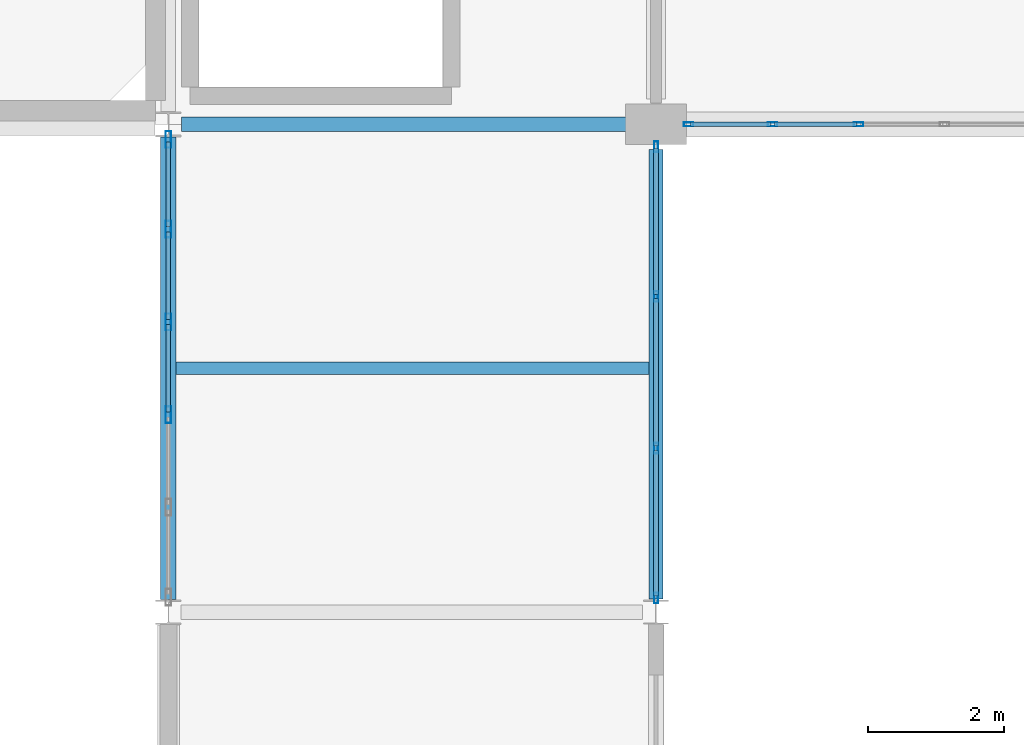
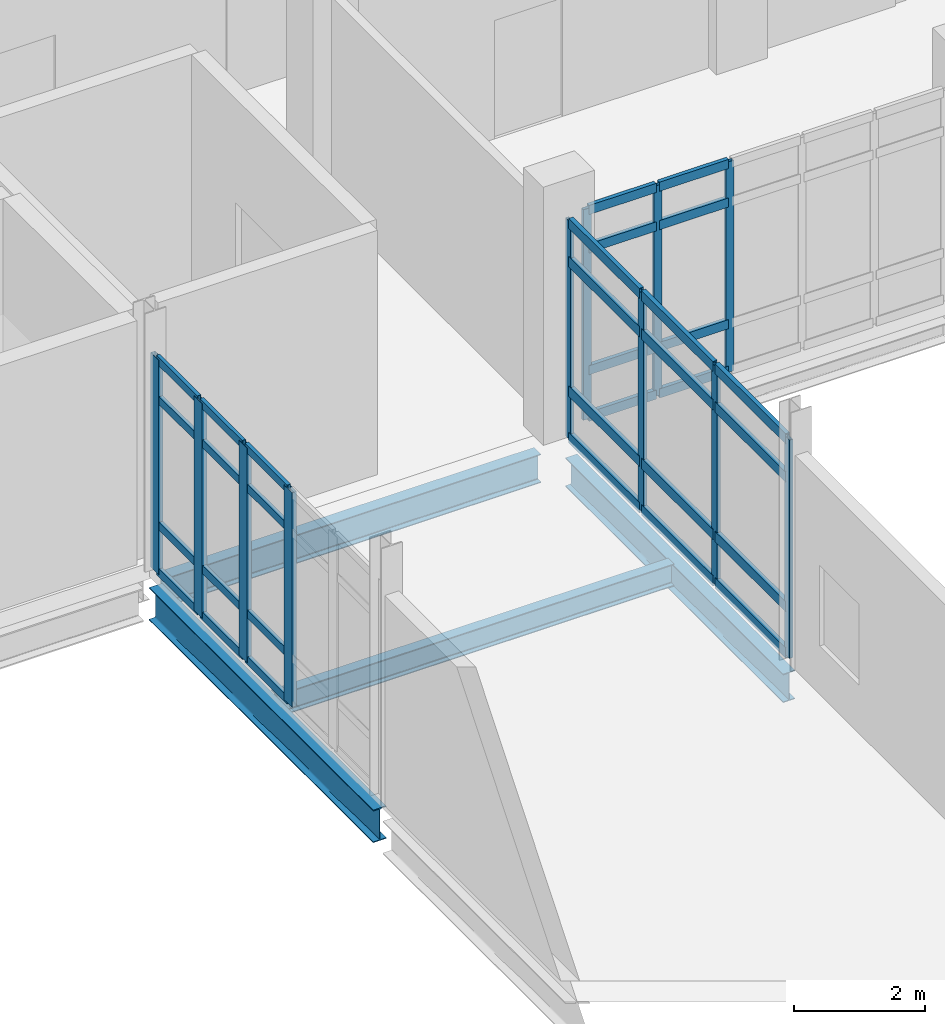
# One storey, part 97 of 186: 43 members, 4 beams, 3 elements without a shape of their own.
"""IFC4 building model written with IfcOpenShell, lengths in metres."""

from ifc_helpers import new_model, si_unit, direction, frame, origin, origin_2d, place, context, subcontext, project, spatial, hollow_rectangle, i_section, extrude, material, layer, layer_set, material_profile, profile_set, type_object, element, aggregate, save


model = new_model("IFC4")

# Units and contexts
model_context = context("Model", 3, precision=1e-05, world=origin(), true_north=direction((0.0, 1.0)))
body_context = subcontext(model_context, "Body", "Model", "MODEL_VIEW")
ifc_project = project(units=[si_unit("LENGTHUNIT", "METRE"), si_unit("AREAUNIT", "SQUARE_METRE"), si_unit("VOLUMEUNIT", "CUBIC_METRE"), si_unit("PLANEANGLEUNIT", "RADIAN"), si_unit("MASSUNIT", "GRAM", prefix="KILO")], contexts=[model_context])

# Site, building, storey
site_placement = place(None, origin())
site = spatial("IfcSite", under=ifc_project, at=site_placement, CompositionType="ELEMENT")
building_placement = place(site_placement, origin())
building = spatial("IfcBuilding", under=site, at=building_placement, Name="Calvrana Isthmian Art Gallery", CompositionType="ELEMENT")
storey_placement = place(building_placement, frame((0.0, 0.0, 5.39990234375)))
storey = spatial("IfcBuildingStorey", under=building, at=storey_placement, Name="L01", CompositionType="ELEMENT", Elevation=5.39990234375)

# Beams
ifc_material_1 = material(Name="Steel ASTM A992 Gr 50", Category="steel")
ifc_material_profile_1 = material_profile(ifc_material_1, i_section(OverallWidth=0.208984375, OverallDepth=0.532958984375, WebThickness=0.01025390625, FlangeThickness=0.015625, FilletRadius=0.02099609375, at=origin_2d()), Name="W21X62")
ifc_profile_set_1 = profile_set([ifc_material_profile_1], Name="Steel ASTM A992 Gr 50")
beam_type_1 = type_object("IfcBeamType", Name="BM-G-W21X62", PredefinedType="BEAM", material=ifc_profile_set_1)
beam_1_placement = place(storey_placement, frame((112.9970703125, 76.800048828125, -0.5712890625), z_axis=(1.0, 0.0, 0.0), x_axis=(0.0, 1.0, 0.0)))
element("IfcBeam", 1, at=beam_1_placement, inside=storey, type_object=beam_type_1, Name="Girder X L01 15-16/K", PredefinedType="BEAM", context=body_context, shape_type="SweptSolid", body=[
    extrude(i_section(OverallWidth=0.208984375, OverallDepth=0.532958984375, WebThickness=0.01025390625, FlangeThickness=0.015625, FilletRadius=0.02099609375, at=origin_2d()), origin(), (0.0, 0.0, 1.0), 6.6279296875),
])
beam_2_placement = place(storey_placement, frame((120.0, 69.79296875, -0.5712890625), z_axis=(0.0, 1.0, 0.0), x_axis=(-1.0, 0.0, 0.0)))
element("IfcBeam", 2, at=beam_2_placement, inside=storey, type_object=beam_type_1, Name="Girder Y L01 16/J-K", PredefinedType="BEAM", context=body_context, shape_type="SweptSolid", body=[
    extrude(i_section(OverallWidth=0.208984375, OverallDepth=0.532958984375, WebThickness=0.01025390625, FlangeThickness=0.015625, FilletRadius=0.02099609375, at=origin_2d()), origin(), (0.0, 0.0, 1.0), 6.632080078125),
])
ifc_material_profile_2 = material_profile(ifc_material_1, i_section(OverallWidth=0.22802734375, OverallDepth=0.60693359375, WebThickness=0.01123046875, FlangeThickness=0.017333984375, FilletRadius=0.02197265625, at=origin_2d()), Name="W24X76")
ifc_profile_set_2 = profile_set([ifc_material_profile_2], Name="Steel ASTM A992 Gr 50")
beam_type_2 = type_object("IfcBeamType", Name="BM-G-W24X76", PredefinedType="BEAM", material=ifc_profile_set_2)
beam_3_placement = place(storey_placement, frame((112.800048828125, 69.78662109375, -0.6083984375), z_axis=(0.0, 1.0, 0.0), x_axis=(-1.0, 0.0, 0.0)))
element("IfcBeam", 3, at=beam_3_placement, inside=storey, type_object=beam_type_2, Name="Girder Y L01 15/J-K", PredefinedType="BEAM", context=body_context, shape_type="SweptSolid", body=[
    extrude(i_section(OverallWidth=0.22802734375, OverallDepth=0.60693359375, WebThickness=0.01123046875, FlangeThickness=0.017333984375, FilletRadius=0.02197265625, at=origin_2d()), origin(), (0.0, 0.0, 1.0), 6.825439453125),
])
ifc_material_profile_3 = material_profile(ifc_material_1, i_section(OverallWidth=0.179931640625, OverallDepth=0.4140625, WebThickness=0.009765625, FlangeThickness=0.01611328125, FilletRadius=0.01806640625, at=origin_2d()), Name="W16X50")
ifc_profile_set_3 = profile_set([ifc_material_profile_3], Name="Steel ASTM A992 Gr 50")
beam_type_3 = type_object("IfcBeamType", Name="BM-J-W16X50", PredefinedType="JOIST", material=ifc_profile_set_3)
beam_4_placement = place(storey_placement, frame((112.9140625, 73.199951171875, -0.471923828125), z_axis=(1.0, 0.0, 0.0), x_axis=(0.0, 1.0, 0.0)))
element("IfcBeam", 4, at=beam_4_placement, inside=storey, type_object=beam_type_3, Name="Composite joist L01 bay 14-09", PredefinedType="JOIST", context=body_context, shape_type="SweptSolid", body=[
    extrude(i_section(OverallWidth=0.179931640625, OverallDepth=0.4140625, WebThickness=0.009765625, FlangeThickness=0.01611328125, FilletRadius=0.01806640625, at=origin_2d()), origin(), (0.0, 0.0, 1.0), 6.9814453125),
])

# Curtain wall, members
ifc_material_2 = material(Name="Anodized bronze aluminium 6063-T6", Category="aluminium")
ifc_layer_1 = layer(ifc_material_2, 0.179931640625, Name="Anodized bronze aluminium 6063-T6")
ifc_layer_set_1 = layer_set([ifc_layer_1], Name="Anodized bronze aluminium 6063-T6")
curtain_wall_type_1 = type_object("IfcCurtainWallType", Name="CW-UNIT-063X39", PredefinedType="USERDEFINED", material=ifc_layer_set_1)
curtain_wall_1_placement = place(storey_placement, origin())
curtain_wall_1 = element("IfcCurtainWall", 5, at=curtain_wall_1_placement, inside=storey, type_object=curtain_wall_type_1, Name="Curtain wall CW-108", ObjectType="UNITISED CURTAIN WALL", PredefinedType="USERDEFINED")
ifc_material_profile_4 = material_profile(ifc_material_2, hollow_rectangle(XDim=0.06005859375, YDim=0.139892578125, WallThickness=0.00390625, at=origin_2d()), Name="CWM60X140")
ifc_profile_set_4 = profile_set([ifc_material_profile_4], Name="Anodized bronze aluminium 6063-T6")
member_type_1 = type_object("IfcMemberType", Name="CWM-CWM60X140", PredefinedType="MULLION", material=ifc_profile_set_4)
member_1_placement = place(storey_placement, frame((122.989990234375, 76.800048828125, 0.0), z_axis=(0.0, 0.0, 1.0), x_axis=(0.0, -1.0, 0.0)))
member_1 = element("IfcMember", 6, at=member_1_placement, type_object=member_type_1, Name="CW-108 mullion 4", PredefinedType="MULLION", context=body_context, shape_type="SweptSolid", body=[
    extrude(hollow_rectangle(XDim=0.06005859375, YDim=0.139892578125, WallThickness=0.00390625, at=origin_2d()), origin(), (0.0, 0.0, 1.0), 3.9130859375),
])
member_2_placement = place(storey_placement, frame((121.719970703125, 76.800048828125, 0.0), z_axis=(0.0, 0.0, 1.0), x_axis=(0.0, -1.0, 0.0)))
member_2 = element("IfcMember", 7, at=member_2_placement, type_object=member_type_1, Name="CW-108 mullion 5", PredefinedType="MULLION", context=body_context, shape_type="SweptSolid", body=[
    extrude(hollow_rectangle(XDim=0.06005859375, YDim=0.139892578125, WallThickness=0.00390625, at=origin_2d()), origin(), (0.0, 0.0, 1.0), 3.9130859375),
])
member_3_placement = place(storey_placement, frame((120.47998046875, 76.800048828125, 0.0), z_axis=(0.0, 0.0, 1.0), x_axis=(0.0, -1.0, 0.0)))
member_3 = element("IfcMember", 8, at=member_3_placement, type_object=member_type_1, Name="CW-108 mullion 6", PredefinedType="MULLION", context=body_context, shape_type="SweptSolid", body=[
    extrude(hollow_rectangle(XDim=0.06005859375, YDim=0.139892578125, WallThickness=0.00390625, at=origin_2d()), origin(), (0.0, 0.0, 1.0), 3.9130859375),
])

ifc_layer_2 = layer(ifc_material_2, 0.179931640625, Name="Anodized bronze aluminium 6063-T6")
ifc_layer_set_2 = layer_set([ifc_layer_2], Name="Anodized bronze aluminium 6063-T6")
curtain_wall_type_2 = type_object("IfcCurtainWallType", Name="CW-UNIT-067X41", PredefinedType="USERDEFINED", material=ifc_layer_set_2)
curtain_wall_2_placement = place(storey_placement, origin())
curtain_wall_2 = element("IfcCurtainWall", 9, at=curtain_wall_2_placement, inside=storey, type_object=curtain_wall_type_2, Name="Curtain wall CW-139", ObjectType="UNITISED CURTAIN WALL", PredefinedType="USERDEFINED")
ifc_material_profile_5 = material_profile(ifc_material_2, hollow_rectangle(XDim=0.06005859375, YDim=0.159912109375, WallThickness=0.00390625, at=origin_2d()), Name="CWM60X160")
ifc_profile_set_5 = profile_set([ifc_material_profile_5], Name="Anodized bronze aluminium 6063-T6")
member_type_2 = type_object("IfcMemberType", Name="CWM-CWM60X160", PredefinedType="MULLION", material=ifc_profile_set_5)
member_4_placement = place(storey_placement, frame((120.0, 76.469970703125, 0.0), z_axis=(0.0, 0.0, 1.0), x_axis=(1.0, 0.0, 0.0)))
member_4 = element("IfcMember", 10, at=member_4_placement, type_object=member_type_2, Name="CW-139 mullion 1", PredefinedType="MULLION", context=body_context, shape_type="SweptSolid", body=[
    extrude(hollow_rectangle(XDim=0.06005859375, YDim=0.159912109375, WallThickness=0.00390625, at=origin_2d()), origin(), (0.0, 0.0, 1.0), 4.05810546875),
])
member_5_placement = place(storey_placement, frame((120.0, 74.25927734375, 0.0), z_axis=(0.0, 0.0, 1.0), x_axis=(1.0, 0.0, 0.0)))
member_5 = element("IfcMember", 11, at=member_5_placement, type_object=member_type_2, Name="CW-139 mullion 2", PredefinedType="MULLION", context=body_context, shape_type="SweptSolid", body=[
    extrude(hollow_rectangle(XDim=0.06005859375, YDim=0.159912109375, WallThickness=0.00390625, at=origin_2d()), origin(), (0.0, 0.0, 1.0), 4.05810546875),
])
member_6_placement = place(storey_placement, frame((120.0, 72.0185546875, 0.0), z_axis=(0.0, 0.0, 1.0), x_axis=(1.0, 0.0, 0.0)))
member_6 = element("IfcMember", 12, at=member_6_placement, type_object=member_type_2, Name="CW-139 mullion 3", PredefinedType="MULLION", context=body_context, shape_type="SweptSolid", body=[
    extrude(hollow_rectangle(XDim=0.06005859375, YDim=0.159912109375, WallThickness=0.00390625, at=origin_2d()), origin(), (0.0, 0.0, 1.0), 4.05810546875),
])
member_7_placement = place(storey_placement, frame((120.0, 69.80810546875, 0.0), z_axis=(0.0, 0.0, 1.0), x_axis=(1.0, 0.0, 0.0)))
member_7 = element("IfcMember", 13, at=member_7_placement, type_object=member_type_2, Name="CW-139 mullion 4", PredefinedType="MULLION", context=body_context, shape_type="SweptSolid", body=[
    extrude(hollow_rectangle(XDim=0.06005859375, YDim=0.159912109375, WallThickness=0.00390625, at=origin_2d()), origin(), (0.0, 0.0, 1.0), 4.05810546875),
])

ifc_layer_3 = layer(ifc_material_2, 0.179931640625, Name="Anodized bronze aluminium 6063-T6")
ifc_layer_set_3 = layer_set([ifc_layer_3], Name="Anodized bronze aluminium 6063-T6")
curtain_wall_type_3 = type_object("IfcCurtainWallType", Name="CW-UNIT-068X40", PredefinedType="USERDEFINED", material=ifc_layer_set_3)
curtain_wall_3_placement = place(storey_placement, origin())
curtain_wall_3 = element("IfcCurtainWall", 14, at=curtain_wall_3_placement, inside=storey, type_object=curtain_wall_type_3, Name="Curtain wall CW-137", ObjectType="UNITISED CURTAIN WALL", PredefinedType="USERDEFINED")
ifc_material_profile_6 = material_profile(ifc_material_2, hollow_rectangle(XDim=0.080078125, YDim=0.25, WallThickness=0.005615234375, at=origin_2d()), Name="CWM80X250")
ifc_profile_set_6 = profile_set([ifc_material_profile_6], Name="Anodized bronze aluminium 6063-T6")
member_type_3 = type_object("IfcMemberType", Name="CWM-CWM80X250", PredefinedType="MULLION", material=ifc_profile_set_6)
member_8_placement = place(storey_placement, frame((112.800048828125, 72.515380859375, 0.0), z_axis=(0.0, 0.0, 1.0), x_axis=(-1.0, 0.0, 0.0)))
member_8 = element("IfcMember", 15, at=member_8_placement, type_object=member_type_3, Name="CW-137 mullion 3", PredefinedType="MULLION", context=body_context, shape_type="SweptSolid", body=[
    extrude(hollow_rectangle(XDim=0.080078125, YDim=0.25, WallThickness=0.005615234375, at=origin_2d()), origin(), (0.0, 0.0, 1.0), 3.987060546875),
])
member_9_placement = place(storey_placement, frame((112.800048828125, 73.882080078125, 0.0), z_axis=(0.0, 0.0, 1.0), x_axis=(-1.0, 0.0, 0.0)))
member_9 = element("IfcMember", 16, at=member_9_placement, type_object=member_type_3, Name="CW-137 mullion 4", PredefinedType="MULLION", context=body_context, shape_type="SweptSolid", body=[
    extrude(hollow_rectangle(XDim=0.080078125, YDim=0.25, WallThickness=0.005615234375, at=origin_2d()), origin(), (0.0, 0.0, 1.0), 3.987060546875),
])
member_10_placement = place(storey_placement, frame((112.800048828125, 75.2490234375, 0.0), z_axis=(0.0, 0.0, 1.0), x_axis=(-1.0, 0.0, 0.0)))
member_10 = element("IfcMember", 17, at=member_10_placement, type_object=member_type_3, Name="CW-137 mullion 5", PredefinedType="MULLION", context=body_context, shape_type="SweptSolid", body=[
    extrude(hollow_rectangle(XDim=0.080078125, YDim=0.25, WallThickness=0.005615234375, at=origin_2d()), origin(), (0.0, 0.0, 1.0), 3.987060546875),
])
member_11_placement = place(storey_placement, frame((112.800048828125, 76.575927734375, 0.0), z_axis=(0.0, 0.0, 1.0), x_axis=(-1.0, 0.0, 0.0)))
member_11 = element("IfcMember", 18, at=member_11_placement, type_object=member_type_3, Name="CW-137 mullion 6", PredefinedType="MULLION", context=body_context, shape_type="SweptSolid", body=[
    extrude(hollow_rectangle(XDim=0.080078125, YDim=0.25, WallThickness=0.005615234375, at=origin_2d()), origin(), (0.0, 0.0, 1.0), 3.987060546875),
])
ifc_material_profile_7 = material_profile(ifc_material_2, hollow_rectangle(XDim=0.06494140625, YDim=0.14990234375, WallThickness=0.00390625, at=origin_2d()), Name="CWT65X150")
ifc_profile_set_7 = profile_set([ifc_material_profile_7], Name="Anodized bronze aluminium 6063-T6")
member_type_4 = type_object("IfcMemberType", Name="CWT-CWT65X150", PredefinedType="USERDEFINED", material=ifc_profile_set_7)
member_12_placement = place(storey_placement, frame((112.800048828125, 72.555419921875, 0.03271484375), z_axis=(0.0, 1.0, 0.0), x_axis=(-1.0, 0.0, 0.0)))
member_12 = element("IfcMember", 19, at=member_12_placement, type_object=member_type_4, Name="CW-137 transom 3.1", ObjectType="TRANSOM", PredefinedType="USERDEFINED", context=body_context, shape_type="SweptSolid", body=[
    extrude(hollow_rectangle(XDim=0.06494140625, YDim=0.14990234375, WallThickness=0.00390625, at=origin_2d()), origin(), (0.0, 0.0, 1.0), 1.286865234375),
])
member_13_placement = place(storey_placement, frame((112.800048828125, 72.555419921875, 0.900146484375), z_axis=(0.0, 1.0, 0.0), x_axis=(-1.0, 0.0, 0.0)))
member_13 = element("IfcMember", 20, at=member_13_placement, type_object=member_type_4, Name="CW-137 transom 3.2", ObjectType="TRANSOM", PredefinedType="USERDEFINED", context=body_context, shape_type="SweptSolid", body=[
    extrude(hollow_rectangle(XDim=0.06494140625, YDim=0.14990234375, WallThickness=0.00390625, at=origin_2d()), origin(), (0.0, 0.0, 1.0), 1.286865234375),
])
member_14_placement = place(storey_placement, frame((112.800048828125, 72.555419921875, 3.237060546875), z_axis=(0.0, 1.0, 0.0), x_axis=(-1.0, 0.0, 0.0)))
member_14 = element("IfcMember", 21, at=member_14_placement, type_object=member_type_4, Name="CW-137 transom 3.3", ObjectType="TRANSOM", PredefinedType="USERDEFINED", context=body_context, shape_type="SweptSolid", body=[
    extrude(hollow_rectangle(XDim=0.06494140625, YDim=0.14990234375, WallThickness=0.00390625, at=origin_2d()), origin(), (0.0, 0.0, 1.0), 1.286865234375),
])
member_15_placement = place(storey_placement, frame((112.800048828125, 72.555419921875, 3.95458984375), z_axis=(0.0, 1.0, 0.0), x_axis=(-1.0, 0.0, 0.0)))
member_15 = element("IfcMember", 22, at=member_15_placement, type_object=member_type_4, Name="CW-137 transom 3.4", ObjectType="TRANSOM", PredefinedType="USERDEFINED", context=body_context, shape_type="SweptSolid", body=[
    extrude(hollow_rectangle(XDim=0.06494140625, YDim=0.14990234375, WallThickness=0.00390625, at=origin_2d()), origin(), (0.0, 0.0, 1.0), 1.286865234375),
])
member_16_placement = place(storey_placement, frame((112.800048828125, 73.922119140625, 0.03271484375), z_axis=(0.0, 1.0, 0.0), x_axis=(-1.0, 0.0, 0.0)))
member_16 = element("IfcMember", 23, at=member_16_placement, type_object=member_type_4, Name="CW-137 transom 4.1", ObjectType="TRANSOM", PredefinedType="USERDEFINED", context=body_context, shape_type="SweptSolid", body=[
    extrude(hollow_rectangle(XDim=0.06494140625, YDim=0.14990234375, WallThickness=0.00390625, at=origin_2d()), origin(), (0.0, 0.0, 1.0), 1.286865234375),
])
member_17_placement = place(storey_placement, frame((112.800048828125, 73.922119140625, 0.900146484375), z_axis=(0.0, 1.0, 0.0), x_axis=(-1.0, 0.0, 0.0)))
member_17 = element("IfcMember", 24, at=member_17_placement, type_object=member_type_4, Name="CW-137 transom 4.2", ObjectType="TRANSOM", PredefinedType="USERDEFINED", context=body_context, shape_type="SweptSolid", body=[
    extrude(hollow_rectangle(XDim=0.06494140625, YDim=0.14990234375, WallThickness=0.00390625, at=origin_2d()), origin(), (0.0, 0.0, 1.0), 1.286865234375),
])
member_18_placement = place(storey_placement, frame((112.800048828125, 73.922119140625, 3.237060546875), z_axis=(0.0, 1.0, 0.0), x_axis=(-1.0, 0.0, 0.0)))
member_18 = element("IfcMember", 25, at=member_18_placement, type_object=member_type_4, Name="CW-137 transom 4.3", ObjectType="TRANSOM", PredefinedType="USERDEFINED", context=body_context, shape_type="SweptSolid", body=[
    extrude(hollow_rectangle(XDim=0.06494140625, YDim=0.14990234375, WallThickness=0.00390625, at=origin_2d()), origin(), (0.0, 0.0, 1.0), 1.286865234375),
])
member_19_placement = place(storey_placement, frame((112.800048828125, 73.922119140625, 3.95458984375), z_axis=(0.0, 1.0, 0.0), x_axis=(-1.0, 0.0, 0.0)))
member_19 = element("IfcMember", 26, at=member_19_placement, type_object=member_type_4, Name="CW-137 transom 4.4", ObjectType="TRANSOM", PredefinedType="USERDEFINED", context=body_context, shape_type="SweptSolid", body=[
    extrude(hollow_rectangle(XDim=0.06494140625, YDim=0.14990234375, WallThickness=0.00390625, at=origin_2d()), origin(), (0.0, 0.0, 1.0), 1.286865234375),
])
member_20_placement = place(storey_placement, frame((112.800048828125, 75.2890625, 0.03271484375), z_axis=(0.0, 1.0, 0.0), x_axis=(-1.0, 0.0, 0.0)))
member_20 = element("IfcMember", 27, at=member_20_placement, type_object=member_type_4, Name="CW-137 transom 5.1", ObjectType="TRANSOM", PredefinedType="USERDEFINED", context=body_context, shape_type="SweptSolid", body=[
    extrude(hollow_rectangle(XDim=0.06494140625, YDim=0.14990234375, WallThickness=0.00390625, at=origin_2d()), origin(), (0.0, 0.0, 1.0), 1.246826171875),
])
member_21_placement = place(storey_placement, frame((112.800048828125, 75.2890625, 0.900146484375), z_axis=(0.0, 1.0, 0.0), x_axis=(-1.0, 0.0, 0.0)))
member_21 = element("IfcMember", 28, at=member_21_placement, type_object=member_type_4, Name="CW-137 transom 5.2", ObjectType="TRANSOM", PredefinedType="USERDEFINED", context=body_context, shape_type="SweptSolid", body=[
    extrude(hollow_rectangle(XDim=0.06494140625, YDim=0.14990234375, WallThickness=0.00390625, at=origin_2d()), origin(), (0.0, 0.0, 1.0), 1.246826171875),
])
member_22_placement = place(storey_placement, frame((112.800048828125, 75.2890625, 3.237060546875), z_axis=(0.0, 1.0, 0.0), x_axis=(-1.0, 0.0, 0.0)))
member_22 = element("IfcMember", 29, at=member_22_placement, type_object=member_type_4, Name="CW-137 transom 5.3", ObjectType="TRANSOM", PredefinedType="USERDEFINED", context=body_context, shape_type="SweptSolid", body=[
    extrude(hollow_rectangle(XDim=0.06494140625, YDim=0.14990234375, WallThickness=0.00390625, at=origin_2d()), origin(), (0.0, 0.0, 1.0), 1.246826171875),
])
member_23_placement = place(storey_placement, frame((112.800048828125, 75.2890625, 3.95458984375), z_axis=(0.0, 1.0, 0.0), x_axis=(-1.0, 0.0, 0.0)))
member_23 = element("IfcMember", 30, at=member_23_placement, type_object=member_type_4, Name="CW-137 transom 5.4", ObjectType="TRANSOM", PredefinedType="USERDEFINED", context=body_context, shape_type="SweptSolid", body=[
    extrude(hollow_rectangle(XDim=0.06494140625, YDim=0.14990234375, WallThickness=0.00390625, at=origin_2d()), origin(), (0.0, 0.0, 1.0), 1.246826171875),
])
aggregate(curtain_wall_3, [member_8, member_9, member_10, member_11, member_12, member_13, member_14, member_15, member_16, member_17, member_18, member_19, member_20, member_21, member_22, member_23])

# Member
ifc_material_profile_8 = material_profile(ifc_material_2, hollow_rectangle(XDim=0.070068359375, YDim=0.169921875, WallThickness=0.00439453125, at=origin_2d()), Name="CWT70X170")
ifc_profile_set_8 = profile_set([ifc_material_profile_8], Name="Anodized bronze aluminium 6063-T6")
member_type_5 = type_object("IfcMemberType", Name="CWT-CWT70X170", PredefinedType="USERDEFINED", material=ifc_profile_set_8)
member_24_placement = place(storey_placement, frame((122.9599609375, 76.800048828125, 0.03515625), z_axis=(-1.0, 0.0, 0.0), x_axis=(0.0, -1.0, 0.0)))
member_24 = element("IfcMember", 31, at=member_24_placement, type_object=member_type_5, Name="CW-108 transom 4.1", ObjectType="TRANSOM", PredefinedType="USERDEFINED", context=body_context, shape_type="SweptSolid", body=[
    extrude(hollow_rectangle(XDim=0.070068359375, YDim=0.169921875, WallThickness=0.00439453125, at=origin_2d()), origin(), (0.0, 0.0, 1.0), 1.2099609375),
])

member_25_placement = place(storey_placement, frame((122.9599609375, 76.800048828125, 0.900146484375), z_axis=(-1.0, 0.0, 0.0), x_axis=(0.0, -1.0, 0.0)))
member_25 = element("IfcMember", 32, at=member_25_placement, type_object=member_type_5, Name="CW-108 transom 4.2", ObjectType="TRANSOM", PredefinedType="USERDEFINED", context=body_context, shape_type="SweptSolid", body=[
    extrude(hollow_rectangle(XDim=0.070068359375, YDim=0.169921875, WallThickness=0.00439453125, at=origin_2d()), origin(), (0.0, 0.0, 1.0), 1.2099609375),
])

member_26_placement = place(storey_placement, frame((122.9599609375, 76.800048828125, 3.1630859375), z_axis=(-1.0, 0.0, 0.0), x_axis=(0.0, -1.0, 0.0)))
member_26 = element("IfcMember", 33, at=member_26_placement, type_object=member_type_5, Name="CW-108 transom 4.3", ObjectType="TRANSOM", PredefinedType="USERDEFINED", context=body_context, shape_type="SweptSolid", body=[
    extrude(hollow_rectangle(XDim=0.070068359375, YDim=0.169921875, WallThickness=0.00439453125, at=origin_2d()), origin(), (0.0, 0.0, 1.0), 1.2099609375),
])

member_27_placement = place(storey_placement, frame((122.9599609375, 76.800048828125, 3.878173828125), z_axis=(-1.0, 0.0, 0.0), x_axis=(0.0, -1.0, 0.0)))
member_27 = element("IfcMember", 34, at=member_27_placement, type_object=member_type_5, Name="CW-108 transom 4.4", ObjectType="TRANSOM", PredefinedType="USERDEFINED", context=body_context, shape_type="SweptSolid", body=[
    extrude(hollow_rectangle(XDim=0.070068359375, YDim=0.169921875, WallThickness=0.00439453125, at=origin_2d()), origin(), (0.0, 0.0, 1.0), 1.2099609375),
])

member_28_placement = place(storey_placement, frame((121.68994140625, 76.800048828125, 0.03515625), z_axis=(-1.0, 0.0, 0.0), x_axis=(0.0, -1.0, 0.0)))
member_28 = element("IfcMember", 35, at=member_28_placement, type_object=member_type_5, Name="CW-108 transom 5.1", ObjectType="TRANSOM", PredefinedType="USERDEFINED", context=body_context, shape_type="SweptSolid", body=[
    extrude(hollow_rectangle(XDim=0.070068359375, YDim=0.169921875, WallThickness=0.00439453125, at=origin_2d()), origin(), (0.0, 0.0, 1.0), 1.179931640625),
])

member_29_placement = place(storey_placement, frame((121.68994140625, 76.800048828125, 0.900146484375), z_axis=(-1.0, 0.0, 0.0), x_axis=(0.0, -1.0, 0.0)))
member_29 = element("IfcMember", 36, at=member_29_placement, type_object=member_type_5, Name="CW-108 transom 5.2", ObjectType="TRANSOM", PredefinedType="USERDEFINED", context=body_context, shape_type="SweptSolid", body=[
    extrude(hollow_rectangle(XDim=0.070068359375, YDim=0.169921875, WallThickness=0.00439453125, at=origin_2d()), origin(), (0.0, 0.0, 1.0), 1.179931640625),
])

member_30_placement = place(storey_placement, frame((121.68994140625, 76.800048828125, 3.1630859375), z_axis=(-1.0, 0.0, 0.0), x_axis=(0.0, -1.0, 0.0)))
member_30 = element("IfcMember", 37, at=member_30_placement, type_object=member_type_5, Name="CW-108 transom 5.3", ObjectType="TRANSOM", PredefinedType="USERDEFINED", context=body_context, shape_type="SweptSolid", body=[
    extrude(hollow_rectangle(XDim=0.070068359375, YDim=0.169921875, WallThickness=0.00439453125, at=origin_2d()), origin(), (0.0, 0.0, 1.0), 1.179931640625),
])

member_31_placement = place(storey_placement, frame((121.68994140625, 76.800048828125, 3.878173828125), z_axis=(-1.0, 0.0, 0.0), x_axis=(0.0, -1.0, 0.0)))
member_31 = element("IfcMember", 38, at=member_31_placement, type_object=member_type_5, Name="CW-108 transom 5.4", ObjectType="TRANSOM", PredefinedType="USERDEFINED", context=body_context, shape_type="SweptSolid", body=[
    extrude(hollow_rectangle(XDim=0.070068359375, YDim=0.169921875, WallThickness=0.00439453125, at=origin_2d()), origin(), (0.0, 0.0, 1.0), 1.179931640625),
])

aggregate(curtain_wall_1, [member_1, member_2, member_3, member_24, member_25, member_26, member_27, member_28, member_29, member_30, member_31])

ifc_material_profile_9 = material_profile(ifc_material_2, hollow_rectangle(XDim=0.074951171875, YDim=0.18994140625, WallThickness=0.00439453125, at=origin_2d()), Name="CWT75X190")
ifc_profile_set_9 = profile_set([ifc_material_profile_9], Name="Anodized bronze aluminium 6063-T6")
member_type_6 = type_object("IfcMemberType", Name="CWT-CWT75X190", PredefinedType="USERDEFINED", material=ifc_profile_set_9)
member_32_placement = place(storey_placement, frame((120.0, 76.43994140625, 0.03759765625), z_axis=(0.0, -1.0, 0.0), x_axis=(1.0, 0.0, 0.0)))
member_32 = element("IfcMember", 39, at=member_32_placement, type_object=member_type_6, Name="CW-139 transom 1.1", ObjectType="TRANSOM", PredefinedType="USERDEFINED", context=body_context, shape_type="SweptSolid", body=[
    extrude(hollow_rectangle(XDim=0.074951171875, YDim=0.18994140625, WallThickness=0.00439453125, at=origin_2d()), origin(), (0.0, 0.0, 1.0), 2.150634765625),
])

member_33_placement = place(storey_placement, frame((120.0, 76.43994140625, 0.900146484375), z_axis=(0.0, -1.0, 0.0), x_axis=(1.0, 0.0, 0.0)))
member_33 = element("IfcMember", 40, at=member_33_placement, type_object=member_type_6, Name="CW-139 transom 1.2", ObjectType="TRANSOM", PredefinedType="USERDEFINED", context=body_context, shape_type="SweptSolid", body=[
    extrude(hollow_rectangle(XDim=0.074951171875, YDim=0.18994140625, WallThickness=0.00439453125, at=origin_2d()), origin(), (0.0, 0.0, 1.0), 2.150634765625),
])

member_34_placement = place(storey_placement, frame((120.0, 76.43994140625, 3.30810546875), z_axis=(0.0, -1.0, 0.0), x_axis=(1.0, 0.0, 0.0)))
member_34 = element("IfcMember", 41, at=member_34_placement, type_object=member_type_6, Name="CW-139 transom 1.3", ObjectType="TRANSOM", PredefinedType="USERDEFINED", context=body_context, shape_type="SweptSolid", body=[
    extrude(hollow_rectangle(XDim=0.074951171875, YDim=0.18994140625, WallThickness=0.00439453125, at=origin_2d()), origin(), (0.0, 0.0, 1.0), 2.150634765625),
])

member_35_placement = place(storey_placement, frame((120.0, 76.43994140625, 4.0205078125), z_axis=(0.0, -1.0, 0.0), x_axis=(1.0, 0.0, 0.0)))
member_35 = element("IfcMember", 42, at=member_35_placement, type_object=member_type_6, Name="CW-139 transom 1.4", ObjectType="TRANSOM", PredefinedType="USERDEFINED", context=body_context, shape_type="SweptSolid", body=[
    extrude(hollow_rectangle(XDim=0.074951171875, YDim=0.18994140625, WallThickness=0.00439453125, at=origin_2d()), origin(), (0.0, 0.0, 1.0), 2.150634765625),
])

member_36_placement = place(storey_placement, frame((120.0, 74.229248046875, 0.03759765625), z_axis=(0.0, -1.0, 0.0), x_axis=(1.0, 0.0, 0.0)))
member_36 = element("IfcMember", 43, at=member_36_placement, type_object=member_type_6, Name="CW-139 transom 2.1", ObjectType="TRANSOM", PredefinedType="USERDEFINED", context=body_context, shape_type="SweptSolid", body=[
    extrude(hollow_rectangle(XDim=0.074951171875, YDim=0.18994140625, WallThickness=0.00439453125, at=origin_2d()), origin(), (0.0, 0.0, 1.0), 2.1806640625),
])

member_37_placement = place(storey_placement, frame((120.0, 74.229248046875, 0.900146484375), z_axis=(0.0, -1.0, 0.0), x_axis=(1.0, 0.0, 0.0)))
member_37 = element("IfcMember", 44, at=member_37_placement, type_object=member_type_6, Name="CW-139 transom 2.2", ObjectType="TRANSOM", PredefinedType="USERDEFINED", context=body_context, shape_type="SweptSolid", body=[
    extrude(hollow_rectangle(XDim=0.074951171875, YDim=0.18994140625, WallThickness=0.00439453125, at=origin_2d()), origin(), (0.0, 0.0, 1.0), 2.1806640625),
])

member_38_placement = place(storey_placement, frame((120.0, 74.229248046875, 3.30810546875), z_axis=(0.0, -1.0, 0.0), x_axis=(1.0, 0.0, 0.0)))
member_38 = element("IfcMember", 45, at=member_38_placement, type_object=member_type_6, Name="CW-139 transom 2.3", ObjectType="TRANSOM", PredefinedType="USERDEFINED", context=body_context, shape_type="SweptSolid", body=[
    extrude(hollow_rectangle(XDim=0.074951171875, YDim=0.18994140625, WallThickness=0.00439453125, at=origin_2d()), origin(), (0.0, 0.0, 1.0), 2.1806640625),
])

member_39_placement = place(storey_placement, frame((120.0, 74.229248046875, 4.0205078125), z_axis=(0.0, -1.0, 0.0), x_axis=(1.0, 0.0, 0.0)))
member_39 = element("IfcMember", 46, at=member_39_placement, type_object=member_type_6, Name="CW-139 transom 2.4", ObjectType="TRANSOM", PredefinedType="USERDEFINED", context=body_context, shape_type="SweptSolid", body=[
    extrude(hollow_rectangle(XDim=0.074951171875, YDim=0.18994140625, WallThickness=0.00439453125, at=origin_2d()), origin(), (0.0, 0.0, 1.0), 2.1806640625),
])

member_40_placement = place(storey_placement, frame((120.0, 71.98876953125, 0.03759765625), z_axis=(0.0, -1.0, 0.0), x_axis=(1.0, 0.0, 0.0)))
member_40 = element("IfcMember", 47, at=member_40_placement, type_object=member_type_6, Name="CW-139 transom 3.1", ObjectType="TRANSOM", PredefinedType="USERDEFINED", context=body_context, shape_type="SweptSolid", body=[
    extrude(hollow_rectangle(XDim=0.074951171875, YDim=0.18994140625, WallThickness=0.00439453125, at=origin_2d()), origin(), (0.0, 0.0, 1.0), 2.15087890625),
])

member_41_placement = place(storey_placement, frame((120.0, 71.98876953125, 0.900146484375), z_axis=(0.0, -1.0, 0.0), x_axis=(1.0, 0.0, 0.0)))
member_41 = element("IfcMember", 48, at=member_41_placement, type_object=member_type_6, Name="CW-139 transom 3.2", ObjectType="TRANSOM", PredefinedType="USERDEFINED", context=body_context, shape_type="SweptSolid", body=[
    extrude(hollow_rectangle(XDim=0.074951171875, YDim=0.18994140625, WallThickness=0.00439453125, at=origin_2d()), origin(), (0.0, 0.0, 1.0), 2.15087890625),
])

member_42_placement = place(storey_placement, frame((120.0, 71.98876953125, 3.30810546875), z_axis=(0.0, -1.0, 0.0), x_axis=(1.0, 0.0, 0.0)))
member_42 = element("IfcMember", 49, at=member_42_placement, type_object=member_type_6, Name="CW-139 transom 3.3", ObjectType="TRANSOM", PredefinedType="USERDEFINED", context=body_context, shape_type="SweptSolid", body=[
    extrude(hollow_rectangle(XDim=0.074951171875, YDim=0.18994140625, WallThickness=0.00439453125, at=origin_2d()), origin(), (0.0, 0.0, 1.0), 2.15087890625),
])

member_43_placement = place(storey_placement, frame((120.0, 71.98876953125, 4.0205078125), z_axis=(0.0, -1.0, 0.0), x_axis=(1.0, 0.0, 0.0)))
member_43 = element("IfcMember", 50, at=member_43_placement, type_object=member_type_6, Name="CW-139 transom 3.4", ObjectType="TRANSOM", PredefinedType="USERDEFINED", context=body_context, shape_type="SweptSolid", body=[
    extrude(hollow_rectangle(XDim=0.074951171875, YDim=0.18994140625, WallThickness=0.00439453125, at=origin_2d()), origin(), (0.0, 0.0, 1.0), 2.15087890625),
])

aggregate(curtain_wall_2, [member_4, member_5, member_6, member_7, member_32, member_33, member_34, member_35, member_36, member_37, member_38, member_39, member_40, member_41, member_42, member_43])

save(model, "model.ifc")
